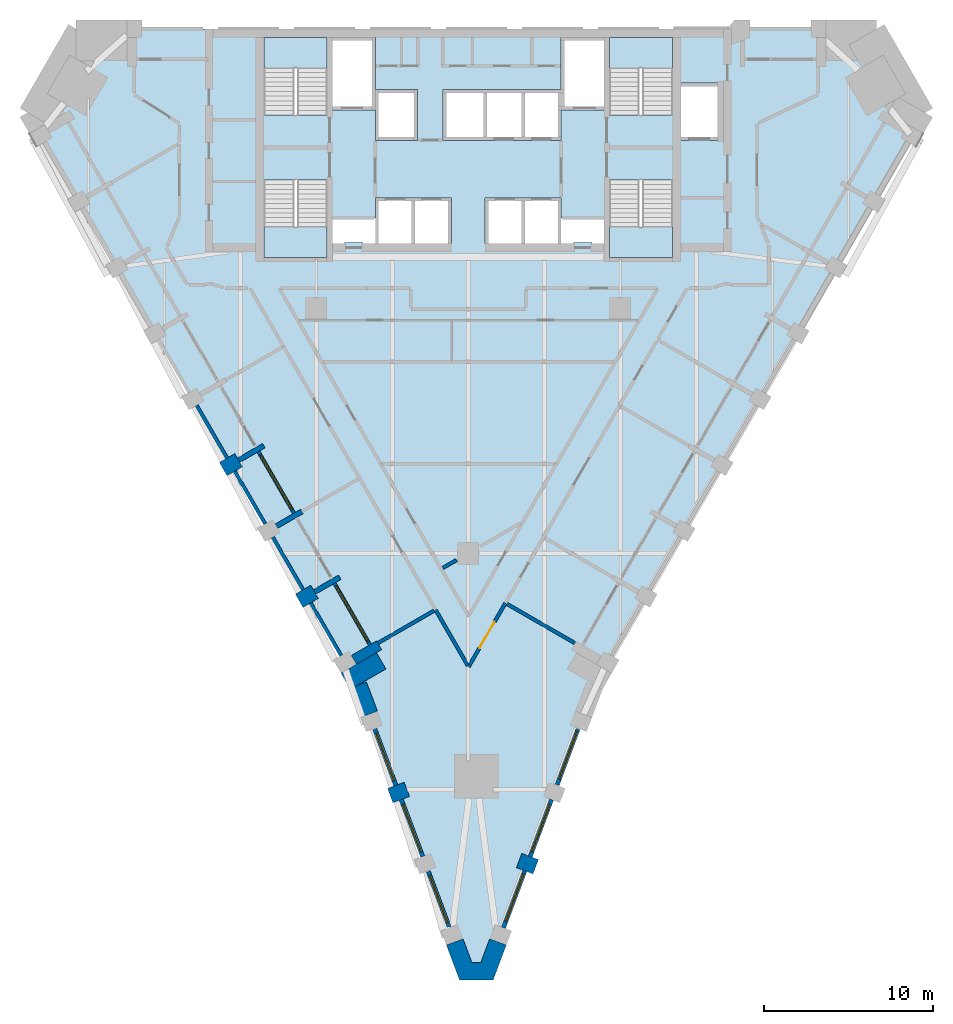
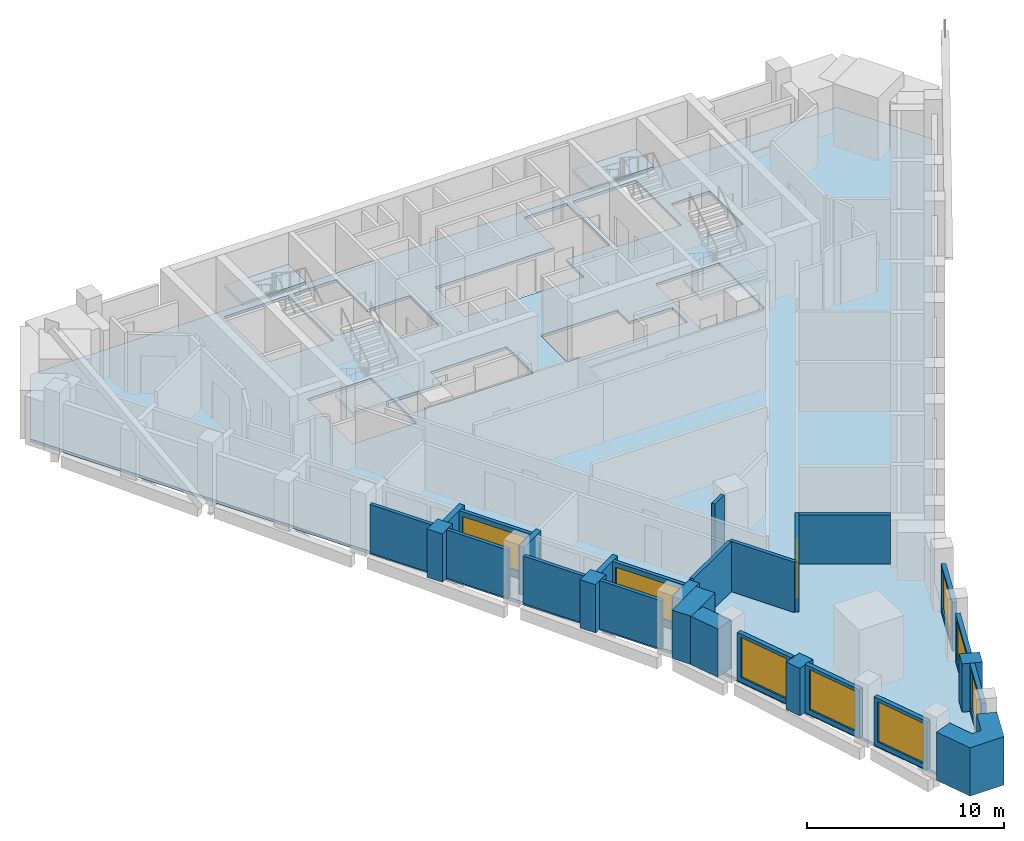
# One storey, part 2 of 9: 28 walls, 8 windows, 5 slabs, 1 door, 9 openings, 4 elements without a shape of their own.
"""IFC4 building model written with IfcOpenShell, lengths in metres."""

from ifc_helpers import new_model, si_unit, direction, frame, frame_2d, origin, place, context, subcontext, project, spatial, polyline, rectangle, outline, extrude, material, layer, layer_set, type_object, element, fill, aggregate, save


model = new_model("IFC4")

# Units and contexts
model_context = context("Model", 3, precision=1e-05, world=origin(), true_north=direction((0.0, 1.0)))
body_context = subcontext(model_context, "Body", "Model", "MODEL_VIEW")
ifc_project = project(units=[si_unit("LENGTHUNIT", "METRE"), si_unit("AREAUNIT", "SQUARE_METRE"), si_unit("VOLUMEUNIT", "CUBIC_METRE"), si_unit("PLANEANGLEUNIT", "RADIAN"), si_unit("MASSUNIT", "GRAM", prefix="KILO")], contexts=[model_context])

# Site, building, storey
site_placement = place(None, origin())
site = spatial("IfcSite", under=ifc_project, at=site_placement, CompositionType="ELEMENT")
building_placement = place(site_placement, origin())
building = spatial("IfcBuilding", under=site, at=building_placement, Name="Calabash Gate Tower", CompositionType="ELEMENT")
storey_placement = place(building_placement, frame((0.0, 0.0, 168.0)))
storey = spatial("IfcBuildingStorey", under=building, at=storey_placement, Name="L39", CompositionType="ELEMENT", Elevation=168.0)

# Slab
ifc_material_1 = material(Name="Concrete C40/50", Category="concrete")
ifc_layer_1 = layer(ifc_material_1, 0.169921875)
ifc_layer_set_1 = layer_set([ifc_layer_1], Name="Composite floor slab 170 Concrete C40/50")
slab_type_1 = type_object("IfcSlabType", Name="Composite floor slab 170 Concrete C40/50", PredefinedType="FLOOR", material=ifc_layer_set_1)
slab_1_placement = place(storey_placement, frame((0.0, 0.0, -0.169921875)))
element("IfcSlab", 1, at=slab_1_placement, inside=storey, type_object=slab_type_1, Name="Floor slab L39", PredefinedType="FLOOR", context=body_context, shape_type="SweptSolid", body=[
    extrude(outline(polyline([(-23.2216796875, 19.052490234375), (24.18115234375, 19.052490234375), (27.04638671875, 14.08984375), (7.479736328125, -19.800537109375), (1.113037109375, -36.739990234375), (-0.153564453125, -36.739990234375), (-6.520263671875, -19.800537109375), (-26.0869140625, 14.08984375), (-23.2216796875, 19.052490234375)]), holes=[polyline([(-3.25, 9.052490234375), (-5.5, 9.052490234375), (-5.5, 7.8525390625), (-8.050048828125, 7.8525390625), (-8.050048828125, 6.3525390625), (-7.324951171875, 6.3525390625), (-7.324951171875, 6.402587890625), (-6.22509765625, 6.402587890625), (-6.22509765625, 6.3525390625), (-5.5, 6.3525390625), (-3.25, 6.3525390625), (-1.0, 6.3525390625), (-1.0, 9.052490234375), (-3.25, 9.052490234375)]), polyline([(5.5, 6.3525390625), (6.22509765625, 6.3525390625), (6.22509765625, 6.402587890625), (7.324951171875, 6.402587890625), (7.324951171875, 6.3525390625), (8.050048828125, 6.3525390625), (8.050048828125, 7.8525390625), (5.5, 7.8525390625), (5.5, 9.052490234375), (3.25, 9.052490234375), (1.0, 9.052490234375), (1.0, 6.3525390625), (3.25, 6.3525390625), (5.5, 6.3525390625)]), polyline([(-5.5, 12.45263671875), (-3.0, 12.45263671875), (-3.0, 15.45263671875), (-5.5, 15.45263671875), (-5.5, 18.552490234375), (-8.050048828125, 18.552490234375), (-8.050048828125, 14.252685546875), (-5.5, 14.252685546875), (-5.5, 12.45263671875)]), polyline([(-1.5, 15.45263671875), (-1.5, 12.45263671875), (1.0, 12.45263671875), (3.25, 12.45263671875), (5.5, 12.45263671875), (5.5, 14.252685546875), (8.050048828125, 14.252685546875), (8.050048828125, 18.552490234375), (5.5, 18.552490234375), (5.5, 15.45263671875), (3.25, 15.45263671875), (1.0, 15.45263671875), (-1.5, 15.45263671875)]), polyline([(14.85009765625, 15.8525390625), (12.60009765625, 15.8525390625), (12.60009765625, 12.45263671875), (14.85009765625, 12.45263671875), (14.85009765625, 15.8525390625)]), polyline([(-8.35009765625, 18.552490234375), (-12.10009765625, 18.552490234375), (-12.10009765625, 13.95263671875), (-8.35009765625, 13.95263671875), (-8.35009765625, 18.552490234375)]), polyline([(-12.10009765625, 10.1025390625), (-12.10009765625, 5.502685546875), (-8.35009765625, 5.502685546875), (-8.35009765625, 10.1025390625), (-12.10009765625, 10.1025390625)]), polyline([(8.35009765625, 13.95263671875), (12.10009765625, 13.95263671875), (12.10009765625, 18.552490234375), (8.35009765625, 18.552490234375), (8.35009765625, 13.95263671875)]), polyline([(12.10009765625, 5.502685546875), (12.10009765625, 10.1025390625), (8.35009765625, 10.1025390625), (8.35009765625, 5.502685546875), (12.10009765625, 5.502685546875)])]), origin(), (0.0, 0.0, 1.0), 0.169921875),
])

# Stair, slab
ifc_material_2 = material(Name="Concrete C40/50", Category="concrete")
stair_type = type_object("IfcStairType", Name="Exit stair 22 risers of 177.3 mm", PredefinedType="HALF_TURN_STAIR", material=ifc_material_2)
stair_1_placement = place(storey_placement, origin())
stair_1 = element("IfcStair", 2, at=stair_1_placement, inside=storey, type_object=stair_type, Name="L39 Exit stair ST1", PredefinedType="HALF_TURN_STAIR")
ifc_material_3 = material(Name="Concrete C40/50", Category="concrete")
ifc_layer_2 = layer(ifc_material_3, 0.199951171875)
ifc_layer_set_2 = layer_set([ifc_layer_2], Name="Stair landing SL200")
slab_type_2 = type_object("IfcSlabType", Name="Stair landing SL200", PredefinedType="LANDING", material=ifc_layer_set_2)
slab_2_placement = place(storey_placement, frame((0.0, 0.0, 1.75)))
slab_2 = element("IfcSlab", 3, at=slab_2_placement, type_object=slab_type_2, Name="ST1 landing 1", PredefinedType="LANDING", context=body_context, shape_type="SweptSolid", body=[
    extrude(outline(polyline([(-8.35009765625, 16.74267578125), (-8.35009765625, 18.552490234375), (-12.10009765625, 18.552490234375), (-12.10009765625, 16.74267578125), (-8.35009765625, 16.74267578125)])), origin(), (0.0, 0.0, 1.0), 0.199951171875),
])
aggregate(stair_1, [slab_2])

stair_2_placement = place(storey_placement, origin())
stair_2 = element("IfcStair", 4, at=stair_2_placement, inside=storey, type_object=stair_type, Name="L39 Exit stair ST2", PredefinedType="HALF_TURN_STAIR")
slab_3_placement = place(storey_placement, frame((0.0, 0.0, 1.75)))
slab_3 = element("IfcSlab", 5, at=slab_3_placement, type_object=slab_type_2, Name="ST2 landing 1", PredefinedType="LANDING", context=body_context, shape_type="SweptSolid", body=[
    extrude(outline(polyline([(-12.10009765625, 7.3125), (-12.10009765625, 5.502685546875), (-8.35009765625, 5.502685546875), (-8.35009765625, 7.3125), (-12.10009765625, 7.3125)])), origin(), (0.0, 0.0, 1.0), 0.199951171875),
])
aggregate(stair_2, [slab_3])

stair_3_placement = place(storey_placement, origin())
stair_3 = element("IfcStair", 6, at=stair_3_placement, inside=storey, type_object=stair_type, Name="L39 Exit stair ST3", PredefinedType="HALF_TURN_STAIR")
slab_4_placement = place(storey_placement, frame((0.0, 0.0, 1.75)))
slab_4 = element("IfcSlab", 7, at=slab_4_placement, type_object=slab_type_2, Name="ST3 landing 1", PredefinedType="LANDING", context=body_context, shape_type="SweptSolid", body=[
    extrude(outline(polyline([(12.10009765625, 16.74267578125), (12.10009765625, 18.552490234375), (8.35009765625, 18.552490234375), (8.35009765625, 16.74267578125), (12.10009765625, 16.74267578125)])), origin(), (0.0, 0.0, 1.0), 0.199951171875),
])
aggregate(stair_3, [slab_4])

stair_4_placement = place(storey_placement, origin())
stair_4 = element("IfcStair", 8, at=stair_4_placement, inside=storey, type_object=stair_type, Name="L39 Exit stair ST4", PredefinedType="HALF_TURN_STAIR")
slab_5_placement = place(storey_placement, frame((0.0, 0.0, 1.75)))
slab_5 = element("IfcSlab", 9, at=slab_5_placement, type_object=slab_type_2, Name="ST4 landing 1", PredefinedType="LANDING", context=body_context, shape_type="SweptSolid", body=[
    extrude(outline(polyline([(8.35009765625, 7.3125), (8.35009765625, 5.502685546875), (12.10009765625, 5.502685546875), (12.10009765625, 7.3125), (8.35009765625, 7.3125)])), origin(), (0.0, 0.0, 1.0), 0.199951171875),
])
aggregate(stair_4, [slab_5])

# Walls
ifc_material_4 = material(Name="Terracotta brick masonry, exposed face", Category="masonry")
ifc_layer_3 = layer(ifc_material_4, 2.425048828125)
ifc_layer_set_3 = layer_set([ifc_layer_3], Name="Brick corner mass wall 2425")
wall_type_1 = type_object("IfcWallType", Name="Brick corner mass wall 2425", PredefinedType="SOLIDWALL", material=ifc_layer_set_3)
wall_1_placement = place(storey_placement, frame((-5.154052734375, -18.366943359375, 0.0), z_axis=(0.0, 0.0, 1.0), x_axis=(-0.865997808697, -0.500047793048, 0.0)))
element("IfcWall", 10, at=wall_1_placement, inside=storey, type_object=wall_type_1, Name="Brick corner pier S11 1", PredefinedType="SOLIDWALL", context=body_context, shape_type="SweptSolid", body=[
    extrude(rectangle(XDim=2.425048828125, YDim=1.11669921875, at=frame_2d((1.21240234375, 0.0))), origin(), (0.0, 0.0, 1.0), 3.0),
])
ifc_material_5 = material(Name="Terracotta brick masonry, exposed face", Category="masonry")
ifc_layer_4 = layer(ifc_material_5, 1.050048828125)
ifc_layer_set_4 = layer_set([ifc_layer_4], Name="Brick end wall 1050")
wall_type_2 = type_object("IfcWallType", Name="Brick end wall 1050", PredefinedType="SOLIDWALL", material=ifc_layer_set_4)
for number, where, z_axis, x_axis, name in (
    (11, (-14.50830078125, -7.014892578125, 0.0), (0.0, 0.0, 1.0), (0.866088799389, 0.499890179513, 0.0), "Brick pier S11 SW0.5"),
    (12, (-10.00830078125, -14.80908203125, 0.0), (0.0, 0.0, 1.0), (0.866088799389, 0.499890179513, 0.0), "Brick pier S11 SW0.7"),
):
    element("IfcWall", number, at=place(storey_placement, frame(where, z_axis=z_axis, x_axis=x_axis)), inside=storey, type_object=wall_type_2, Name=name, PredefinedType="SOLIDWALL", context=body_context, shape_type="SweptSolid", body=[
        extrude(rectangle(XDim=1.050048828125, YDim=0.89990234375, at=frame_2d((0.52490234375, 0.0))), origin(), (0.0, 0.0, 1.0), 3.0),
    ])
wall_2_placement = place(storey_placement, frame((-4.6201171875, -26.348876953125, 0.0), z_axis=(0.0, 0.0, 1.0), x_axis=(0.936003928089, 0.351989554676, 0.0)))
element("IfcWall", 13, at=wall_2_placement, inside=storey, type_object=wall_type_2, Name="Brick pier S11 wedge1.1", PredefinedType="SOLIDWALL", context=body_context, shape_type="SweptSolid", body=[
    extrude(rectangle(XDim=1.050048828125, YDim=0.89990234375, at=frame_2d((0.52490234375, 0.0))), origin(), (0.0, 0.0, 1.0), 2.9501953125),
])
wall_3_placement = place(storey_placement, frame((3.99609375, -30.56103515625, 0.0), z_axis=(0.0, 0.0, 1.0), x_axis=(-0.936080509118, 0.351785844584, 0.0)))
element("IfcWall", 14, at=wall_3_placement, inside=storey, type_object=wall_type_2, Name="Brick pier S11 wedge3.1", PredefinedType="SOLIDWALL", context=body_context, shape_type="SweptSolid", body=[
    extrude(rectangle(XDim=1.050048828125, YDim=0.89990234375, at=frame_2d((0.52490234375, 0.0))), origin(), (0.0, 0.0, 1.0), 3.0),
])
wall_4_placement = place(storey_placement, origin())
element("IfcWall", 15, at=wall_4_placement, inside=storey, type_object=wall_type_2, Name="Brick end wall S11 1", PredefinedType="SOLIDWALL", context=body_context, shape_type="SweptSolid", body=[
    extrude(outline(polyline([(-5.378662109375, -21.345947265625), (-6.02880859375, -19.61572265625), (-6.520263671875, -19.800537109375), (-6.97509765625, -20.06298828125), (-6.99658203125, -20.025634765625), (-6.361572265625, -21.71533203125), (-5.378662109375, -21.345947265625)])), origin(), (0.0, 0.0, 1.0), 3.0),
])
wall_5_placement = place(storey_placement, origin())
element("IfcWall", 16, at=wall_5_placement, inside=storey, type_object=wall_type_2, Name="Brick end wall S11 2", PredefinedType="SOLIDWALL", context=body_context, shape_type="SweptSolid", body=[
    extrude(outline(polyline([(-1.295166015625, -35.19482421875), (-0.51708984375, -37.264892578125), (1.4765625, -37.264892578125), (2.254638671875, -35.194580078125), (1.271484375, -34.82568359375), (0.74951171875, -36.21484375), (0.2099609375, -36.21484375), (-0.312255859375, -34.825439453125), (-1.295166015625, -35.19482421875)])), origin(), (0.0, 0.0, 1.0), 3.0),
])
ifc_material_6 = material(Name="Terracotta brick masonry, exposed face", Category="masonry")
ifc_layer_5 = layer(ifc_material_6, 0.300048828125)
ifc_layer_set_5 = layer_set([ifc_layer_5], Name="Brick loggia cheek wall 300")
wall_type_3 = type_object("IfcWallType", Name="Brick loggia cheek wall 300", PredefinedType="SOLIDWALL", material=ifc_layer_set_5)
wall_6_placement = place(storey_placement, frame((-13.598876953125, -6.489990234375, 0.0), z_axis=(0.0, 0.0, 1.0), x_axis=(0.866013532718, 0.500020560727, 0.0)))
element("IfcWall", 17, at=wall_6_placement, inside=storey, type_object=wall_type_3, Name="Loggia cheek S11 SW0.5", PredefinedType="SOLIDWALL", context=body_context, shape_type="SweptSolid", body=[
    extrude(rectangle(XDim=1.72509765625, YDim=0.300048828125, at=frame_2d((0.862548828125, 0.0))), origin(), (0.0, 0.0, 1.0), 3.0),
])
wall_7_placement = place(storey_placement, frame((-11.348876953125, -10.386962890625, 0.0), z_axis=(0.0, 0.0, 1.0), x_axis=(0.866074815912, 0.499914405916, 0.0)))
element("IfcWall", 18, at=wall_7_placement, inside=storey, type_object=wall_type_3, Name="Loggia cheek S11 SW0.6", PredefinedType="SOLIDWALL", context=body_context, shape_type="SweptSolid", body=[
    extrude(rectangle(XDim=1.724853515625, YDim=0.300048828125, at=frame_2d((0.8623046875, 0.0))), origin(), (0.0, 0.0, 1.0), 3.0),
])
wall_8_placement = place(storey_placement, frame((-9.098876953125, -14.2841796875, 0.0), z_axis=(0.0, 0.0, 1.0), x_axis=(0.866013532718, 0.500020560727, 0.0)))
element("IfcWall", 19, at=wall_8_placement, inside=storey, type_object=wall_type_3, Name="Loggia cheek S11 SW0.7", PredefinedType="SOLIDWALL", context=body_context, shape_type="SweptSolid", body=[
    extrude(rectangle(XDim=1.72509765625, YDim=0.300048828125, at=frame_2d((0.862548828125, 0.0))), origin(), (0.0, 0.0, 1.0), 3.0),
])
wall_9_placement = place(storey_placement, frame((-6.77392578125, -18.311279296875, 0.0), z_axis=(0.0, 0.0, 1.0), x_axis=(0.866013532718, 0.500020560727, 0.0)))
element("IfcWall", 20, at=wall_9_placement, inside=storey, type_object=wall_type_3, Name="Loggia cheek S11 SW0.8", PredefinedType="SOLIDWALL", context=body_context, shape_type="SweptSolid", body=[
    extrude(rectangle(XDim=1.72509765625, YDim=0.60009765625, at=frame_2d((0.862548828125, 0.0))), origin(), (0.0, 0.0, 1.0), 3.0),
])
ifc_material_7 = material(Name="Gypsum board on steel studs, mineral wool", Category="steel")
ifc_layer_6 = layer(ifc_material_7, 0.199951171875)
ifc_layer_set_6 = layer_set([ifc_layer_6], Name="Partition 200 gypsum board EI 60")
wall_type_4 = type_object("IfcWallType", Name="Partition 200 gypsum board EI 60", PredefinedType="PARTITIONING", material=ifc_layer_set_6)
wall_10_placement = place(storey_placement, frame((-1.935791015625, -15.34521484375, 0.0), z_axis=(0.0, 0.0, 1.0), x_axis=(0.500383446004, -0.865803907918, 0.0)))
element("IfcWall", 21, at=wall_10_placement, inside=storey, type_object=wall_type_4, Name="Partition", PredefinedType="PARTITIONING", context=body_context, shape_type="SweptSolid", body=[
    extrude(rectangle(XDim=3.80419921875, YDim=0.199951171875, at=frame_2d((1.902099609375, 0.0))), origin(), (0.0, 0.0, 1.0), 3.1279296875),
])
wall_11_placement = place(storey_placement, frame((2.286865234375, -14.99560546875, 0.0), z_axis=(0.0, 0.0, 1.0), x_axis=(0.866183837695, -0.499725483956, 0.0)))
element("IfcWall", 22, at=wall_11_placement, inside=storey, type_object=wall_type_4, Name="Partition", PredefinedType="PARTITIONING", context=body_context, shape_type="SweptSolid", body=[
    extrude(rectangle(XDim=4.6494140625, YDim=0.199951171875, at=frame_2d((2.32470703125, 0.0))), origin(), (0.0, 0.0, 1.0), 3.052001953125),
])
wall_12_placement = place(storey_placement, frame((-5.354736328125, -17.319091796875, 0.0), z_axis=(0.0, 0.0, 1.0), x_axis=(0.866214094833, 0.499673035007, 0.0)))
element("IfcWall", 23, at=wall_12_placement, inside=storey, type_object=wall_type_4, Name="Partition", PredefinedType="PARTITIONING", context=body_context, shape_type="SweptSolid", body=[
    extrude(rectangle(XDim=3.84912109375, YDim=0.199951171875, at=frame_2d((1.924560546875, 0.0))), origin(), (0.0, 0.0, 1.0), 3.1279296875),
])

# Wall, opening, door
wall_13_placement = place(storey_placement, frame((0.017822265625, -18.725341796875, 0.0), z_axis=(0.0, 0.0, 1.0), x_axis=(0.500372623754, 0.865810162448, 0.0)))
wall_13 = element("IfcWall", 24, at=wall_13_placement, inside=storey, type_object=wall_type_4, Name="Partition", PredefinedType="PARTITIONING", context=body_context, shape_type="SweptSolid", body=[
    extrude(rectangle(XDim=4.365966796875, YDim=0.199951171875, at=frame_2d((2.18310546875, 0.0))), origin(), (0.0, 0.0, 1.0), 3.1279296875),
])
opening_1_placement = place(wall_13_placement, frame((1.283203125, 0.0, 0.0)))
opening_1 = element("IfcOpeningElement", 25, at=opening_1_placement, cuts=wall_13, Name="Opening 39-41-013", PredefinedType="OPENING", context=body_context, shape_type="SweptSolid", body=[
    extrude(rectangle(XDim=1.800048828125, YDim=2.39990234375, at=frame_2d((0.89990234375, 1.199951171875))), frame((0.0, 0.10986328125, 0.0), z_axis=(0.0, -1.0, 0.0), x_axis=(1.0, 0.0, 0.0)), (0.0, 0.0, 1.0), 0.219970703125),
])
ifc_material_8 = material(Name="Steel fire door set with fire-resisting glazing", Category="steel")
door_type = type_object("IfcDoorType", Name="OD5 Open office double door 1800x2400", OperationType="NOTDEFINED", PredefinedType="DOOR", material=ifc_material_8)
door_placement = place(opening_1_placement, origin())
door = element("IfcDoor", 26, at=door_placement, inside=storey, type_object=door_type, Name="Open office double door", OperationType="DOUBLE_DOOR_SINGLE_SWING", OverallHeight=2.39990234375, OverallWidth=1.800048828125, PredefinedType="DOOR", context=body_context, shape_type="SweptSolid", body=[
    extrude(rectangle(XDim=1.800048828125, YDim=2.39990234375, at=frame_2d((0.89990234375, 1.199951171875))), frame((0.0, 0.02490234375, 0.0), z_axis=(0.0, -1.0, 0.0), x_axis=(1.0, 0.0, 0.0)), (0.0, 0.0, 1.0), 0.050048828125),
])
fill(opening_1, door)

# Wall
wall_14_placement = place(storey_placement, frame((-1.51220703125, -12.870849609375, 0.0), z_axis=(0.0, 0.0, 1.0), x_axis=(0.866909118008, 0.498466228659, 0.0)))
element("IfcWall", 27, at=wall_14_placement, inside=storey, type_object=wall_type_4, Name="Partition", PredefinedType="PARTITIONING", context=body_context, shape_type="SweptSolid", body=[
    extrude(rectangle(XDim=0.93701171875, YDim=0.199951171875, at=frame_2d((0.468505859375, 0.0))), origin(), (0.0, 0.0, 1.0), 3.72998046875),
])

# Wall, opening, window
ifc_material_9 = material(Name="Aluminium framed window wall with insulated spandrel", Category="aluminium")
ifc_layer_7 = layer(ifc_material_9, 0.25)
ifc_layer_set_7 = layer_set([ifc_layer_7], Name="Prow window wall 250")
wall_type_5 = type_object("IfcWallType", Name="Prow window wall 250", PredefinedType="ELEMENTEDWALL", material=ifc_layer_set_7)
wall_15_placement = place(storey_placement, frame((-5.535888671875, -22.419921875, 0.0), z_axis=(0.0, 0.0, 1.0), x_axis=(0.351861542378, -0.936052057845, 0.0)))
wall_15 = element("IfcWall", 28, at=wall_15_placement, inside=storey, type_object=wall_type_5, Name="Prow window wall S11 wedge1.1", PredefinedType="ELEMENTEDWALL", context=body_context, shape_type="SweptSolid", body=[
    extrude(rectangle(XDim=3.5517578125, YDim=0.25, at=frame_2d((1.77587890625, 0.0))), origin(), (0.0, 0.0, 1.0), 3.0),
])
opening_2_placement = place(wall_15_placement, frame((0.25, 0.0, 0.300048828125)))
opening_2 = element("IfcOpeningElement", 29, at=opening_2_placement, cuts=wall_15, Name="Opening WP2", PredefinedType="OPENING", context=body_context, shape_type="SweptSolid", body=[
    extrude(rectangle(XDim=3.0, YDim=2.5, at=frame_2d((1.5, 1.25))), frame((0.0, 0.135009765625, 0.0), z_axis=(0.0, -1.0, 0.0), x_axis=(1.0, 0.0, 0.0)), (0.0, 0.0, 1.0), 0.27001953125),
])
ifc_material_10 = material(Name="Anodised aluminium frame, bronze finish, impact-rated laminated clear glazing", Category="aluminium")
window_type_1 = type_object("IfcWindowType", Name="Window WP2 3000x2500", PartitioningType="DOUBLE_PANEL_VERTICAL", PredefinedType="WINDOW", material=ifc_material_10)
window_1_placement = place(opening_2_placement, origin())
window_1 = element("IfcWindow", 30, at=window_1_placement, inside=storey, type_object=window_type_1, Name="Prow window WP2 S11 wedge1.1", OverallHeight=2.5, OverallWidth=3.0, PartitioningType="SINGLE_PANEL", PredefinedType="WINDOW", context=body_context, shape_type="SweptSolid", body=[
    extrude(rectangle(XDim=3.0, YDim=2.5, at=frame_2d((1.5, 1.25))), frame((0.0, 0.030029296875, 0.0), z_axis=(0.0, -1.0, 0.0), x_axis=(1.0, 0.0, 0.0)), (0.0, 0.0, 1.0), 0.06005859375),
])
fill(opening_2, window_1)

wall_16_placement = place(storey_placement, frame((-3.97021484375, -26.585205078125, 0.0), z_axis=(0.0, 0.0, 1.0), x_axis=(0.351829371284, -0.936064150314, 0.0)))
wall_16 = element("IfcWall", 31, at=wall_16_placement, inside=storey, type_object=wall_type_5, Name="Prow window wall S11 wedge1.2", PredefinedType="ELEMENTEDWALL", context=body_context, shape_type="SweptSolid", body=[
    extrude(rectangle(XDim=3.60009765625, YDim=0.25, at=frame_2d((1.800048828125, 0.0))), origin(), (0.0, 0.0, 1.0), 3.0),
])
opening_3_placement = place(wall_16_placement, frame((0.300048828125, 0.0, 0.300048828125)))
opening_3 = element("IfcOpeningElement", 32, at=opening_3_placement, cuts=wall_16, Name="Opening WP2", PredefinedType="OPENING", context=body_context, shape_type="SweptSolid", body=[
    extrude(rectangle(XDim=3.0, YDim=2.5, at=frame_2d((1.5, 1.25))), frame((0.0, 0.135009765625, 0.0), z_axis=(0.0, -1.0, 0.0), x_axis=(1.0, 0.0, 0.0)), (0.0, 0.0, 1.0), 0.27001953125),
])
window_2_placement = place(opening_3_placement, origin())
window_2 = element("IfcWindow", 33, at=window_2_placement, inside=storey, type_object=window_type_1, Name="Prow window WP2 S11 wedge1.2", OverallHeight=2.5, OverallWidth=3.0, PartitioningType="SINGLE_PANEL", PredefinedType="WINDOW", context=body_context, shape_type="SweptSolid", body=[
    extrude(rectangle(XDim=3.0, YDim=2.5, at=frame_2d((1.5, 1.25))), frame((0.0, 0.030029296875, 0.0), z_axis=(0.0, -1.0, 0.0), x_axis=(1.0, 0.0, 0.0)), (0.0, 0.0, 1.0), 0.06005859375),
])
fill(opening_3, window_2)

wall_17_placement = place(storey_placement, frame((-2.369384765625, -30.844482421875, 0.0), z_axis=(0.0, 0.0, 1.0), x_axis=(0.351788440802, -0.936079533436, 0.0)))
wall_17 = element("IfcWall", 34, at=wall_17_placement, inside=storey, type_object=wall_type_5, Name="Prow window wall S11 wedge1.3", PredefinedType="ELEMENTEDWALL", context=body_context, shape_type="SweptSolid", body=[
    extrude(rectangle(XDim=3.499755859375, YDim=0.25, at=frame_2d((1.75, 0.0))), origin(), (0.0, 0.0, 1.0), 3.0),
])
opening_4_placement = place(wall_17_placement, frame((0.25, 0.0, 0.300048828125)))
opening_4 = element("IfcOpeningElement", 35, at=opening_4_placement, cuts=wall_17, Name="Opening WP2", PredefinedType="OPENING", context=body_context, shape_type="SweptSolid", body=[
    extrude(rectangle(XDim=3.0, YDim=2.5, at=frame_2d((1.5, 1.25))), frame((0.0, 0.135009765625, 0.0), z_axis=(0.0, -1.0, 0.0), x_axis=(1.0, 0.0, 0.0)), (0.0, 0.0, 1.0), 0.27001953125),
])
window_3_placement = place(opening_4_placement, origin())
window_3 = element("IfcWindow", 36, at=window_3_placement, inside=storey, type_object=window_type_1, Name="Prow window WP2 S11 wedge1.3", OverallHeight=2.5, OverallWidth=3.0, PartitioningType="SINGLE_PANEL", PredefinedType="WINDOW", context=body_context, shape_type="SweptSolid", body=[
    extrude(rectangle(XDim=3.0, YDim=2.5, at=frame_2d((1.5, 1.25))), frame((0.0, 0.030029296875, 0.0), z_axis=(0.0, -1.0, 0.0), x_axis=(1.0, 0.0, 0.0)), (0.0, 0.0, 1.0), 0.06005859375),
])
fill(opening_4, window_3)

wall_18_placement = place(storey_placement, frame((2.079833984375, -34.16748046875, 0.0), z_axis=(0.0, 0.0, 1.0), x_axis=(0.351829371284, 0.936064150314, 0.0)))
wall_18 = element("IfcWall", 37, at=wall_18_placement, inside=storey, type_object=wall_type_5, Name="Prow window wall S11 wedge3.1", PredefinedType="ELEMENTEDWALL", context=body_context, shape_type="SweptSolid", body=[
    extrude(rectangle(XDim=3.60009765625, YDim=0.25, at=frame_2d((1.800048828125, 0.0))), origin(), (0.0, 0.0, 1.0), 3.0),
])
opening_5_placement = place(wall_18_placement, frame((0.39990234375, 0.0, 0.300048828125)))
opening_5 = element("IfcOpeningElement", 38, at=opening_5_placement, cuts=wall_18, Name="Opening WP2", PredefinedType="OPENING", context=body_context, shape_type="SweptSolid", body=[
    extrude(rectangle(XDim=3.0, YDim=2.5, at=frame_2d((1.5, 1.25))), frame((0.0, 0.135009765625, 0.0), z_axis=(0.0, -1.0, 0.0), x_axis=(1.0, 0.0, 0.0)), (0.0, 0.0, 1.0), 0.27001953125),
])
window_4_placement = place(opening_5_placement, origin())
window_4 = element("IfcWindow", 39, at=window_4_placement, inside=storey, type_object=window_type_1, Name="Prow window WP2 S11 wedge3.1", OverallHeight=2.5, OverallWidth=3.0, PartitioningType="SINGLE_PANEL", PredefinedType="WINDOW", context=body_context, shape_type="SweptSolid", body=[
    extrude(rectangle(XDim=3.0, YDim=2.5, at=frame_2d((1.5, 1.25))), frame((0.0, 0.030029296875, 0.0), z_axis=(0.0, -1.0, 0.0), x_axis=(1.0, 0.0, 0.0)), (0.0, 0.0, 1.0), 0.06005859375),
])
fill(opening_5, window_4)

wall_19_placement = place(storey_placement, frame((3.6630859375, -29.955078125, 0.0), z_axis=(0.0, 0.0, 1.0), x_axis=(0.351829371284, 0.936064150314, 0.0)))
wall_19 = element("IfcWall", 40, at=wall_19_placement, inside=storey, type_object=wall_type_5, Name="Prow window wall S11 wedge3.2", PredefinedType="ELEMENTEDWALL", context=body_context, shape_type="SweptSolid", body=[
    extrude(rectangle(XDim=3.60009765625, YDim=0.25, at=frame_2d((1.800048828125, 0.0))), origin(), (0.0, 0.0, 1.0), 3.0),
])
opening_6_placement = place(wall_19_placement, frame((0.300048828125, 0.0, 0.300048828125)))
opening_6 = element("IfcOpeningElement", 41, at=opening_6_placement, cuts=wall_19, Name="Opening WP2", PredefinedType="OPENING", context=body_context, shape_type="SweptSolid", body=[
    extrude(rectangle(XDim=3.0, YDim=2.5, at=frame_2d((1.5, 1.25))), frame((0.0, 0.135009765625, 0.0), z_axis=(0.0, -1.0, 0.0), x_axis=(1.0, 0.0, 0.0)), (0.0, 0.0, 1.0), 0.27001953125),
])
window_5_placement = place(opening_6_placement, origin())
window_5 = element("IfcWindow", 42, at=window_5_placement, inside=storey, type_object=window_type_1, Name="Prow window WP2 S11 wedge3.2", OverallHeight=2.5, OverallWidth=3.0, PartitioningType="SINGLE_PANEL", PredefinedType="WINDOW", context=body_context, shape_type="SweptSolid", body=[
    extrude(rectangle(XDim=3.0, YDim=2.5, at=frame_2d((1.5, 1.25))), frame((0.0, 0.030029296875, 0.0), z_axis=(0.0, -1.0, 0.0), x_axis=(1.0, 0.0, 0.0)), (0.0, 0.0, 1.0), 0.06005859375),
])
fill(opening_6, window_5)

wall_20_placement = place(storey_placement, frame((5.263916015625, -25.696044921875, 0.0), z_axis=(0.0, 0.0, 1.0), x_axis=(0.351788440802, 0.936079533436, 0.0)))
wall_20 = element("IfcWall", 43, at=wall_20_placement, inside=storey, type_object=wall_type_5, Name="Prow window wall S11 wedge3.3", PredefinedType="ELEMENTEDWALL", context=body_context, shape_type="SweptSolid", body=[
    extrude(rectangle(XDim=3.499755859375, YDim=0.25, at=frame_2d((1.75, 0.0))), origin(), (0.0, 0.0, 1.0), 3.0),
])
opening_7_placement = place(wall_20_placement, frame((0.35009765625, 0.0, 0.300048828125)))
opening_7 = element("IfcOpeningElement", 44, at=opening_7_placement, cuts=wall_20, Name="Opening WP2", PredefinedType="OPENING", context=body_context, shape_type="SweptSolid", body=[
    extrude(rectangle(XDim=3.0, YDim=2.5, at=frame_2d((1.5, 1.25))), frame((0.0, 0.135009765625, 0.0), z_axis=(0.0, -1.0, 0.0), x_axis=(1.0, 0.0, 0.0)), (0.0, 0.0, 1.0), 0.27001953125),
])
window_6_placement = place(opening_7_placement, origin())
window_6 = element("IfcWindow", 45, at=window_6_placement, inside=storey, type_object=window_type_1, Name="Prow window WP2 S11 wedge3.3", OverallHeight=2.5, OverallWidth=3.0, PartitioningType="SINGLE_PANEL", PredefinedType="WINDOW", context=body_context, shape_type="SweptSolid", body=[
    extrude(rectangle(XDim=3.0, YDim=2.5, at=frame_2d((1.5, 1.25))), frame((0.0, 0.030029296875, 0.0), z_axis=(0.0, -1.0, 0.0), x_axis=(1.0, 0.0, 0.0)), (0.0, 0.0, 1.0), 0.06005859375),
])
fill(opening_7, window_6)

# Walls
ifc_material_11 = material(Name="Terracotta brick masonry, perforated", Category="masonry")
ifc_layer_8 = layer(ifc_material_11, 0.199951171875)
ifc_layer_set_8 = layer_set([ifc_layer_8], Name="Terracotta jaali screen A")
wall_type_6 = type_object("IfcWallType", Name="Terracotta jaali screen A", PredefinedType="SOLIDWALL", material=ifc_layer_set_8)
for number, where, z_axis, x_axis, name in (
    (46, (-16.07861328125, -3.2451171875, 0.0), (0.0, 0.0, 1.0), (0.500012057535, -0.866018442252, 0.0), "SCREEN A S11 SW0.5"),
    (47, (-13.82861328125, -7.14208984375, 0.0), (0.0, 0.0, 1.0), (0.500012057535, -0.866018442252, 0.0), "SCREEN A S11 SW0.6"),
):
    element("IfcWall", number, at=place(storey_placement, frame(where, z_axis=z_axis, x_axis=x_axis)), inside=storey, type_object=wall_type_6, Name=name, PredefinedType="SOLIDWALL", context=body_context, shape_type="SweptSolid", body=[
        extrude(rectangle(XDim=3.60009765625, YDim=0.199951171875, at=frame_2d((1.800048828125, 0.0))), origin(), (0.0, 0.0, 1.0), 3.0),
    ])
wall_21_placement = place(storey_placement, frame((-11.57861328125, -11.039306640625, 0.0), z_axis=(0.0, 0.0, 1.0), x_axis=(0.500012057535, -0.866018442252, 0.0)))
element("IfcWall", 48, at=wall_21_placement, inside=storey, type_object=wall_type_6, Name="SCREEN A S11 SW0.7", PredefinedType="SOLIDWALL", context=body_context, shape_type="SweptSolid", body=[
    extrude(rectangle(XDim=3.60009765625, YDim=0.199951171875, at=frame_2d((1.800048828125, 0.0))), origin(), (0.0, 0.0, 1.0), 2.9501953125),
])
wall_22_placement = place(storey_placement, frame((-9.32861328125, -14.936279296875, 0.0), z_axis=(0.0, 0.0, 1.0), x_axis=(0.500012057535, -0.866018442252, 0.0)))
element("IfcWall", 49, at=wall_22_placement, inside=storey, type_object=wall_type_6, Name="SCREEN A S11 SW0.8", PredefinedType="SOLIDWALL", context=body_context, shape_type="SweptSolid", body=[
    extrude(rectangle(XDim=3.60009765625, YDim=0.199951171875, at=frame_2d((1.800048828125, 0.0))), origin(), (0.0, 0.0, 1.0), 3.0),
])

# Wall, opening, window
ifc_material_12 = material(Name="Aluminium framed window wall with insulated spandrel", Category="aluminium")
ifc_layer_9 = layer(ifc_material_12, 0.199951171875)
ifc_layer_set_9 = layer_set([ifc_layer_9], Name="Window wall 200")
wall_type_7 = type_object("IfcWallType", Name="Window wall 200", PredefinedType="ELEMENTEDWALL", material=ifc_layer_set_9)
wall_23_placement = place(storey_placement, frame((-12.419921875, -5.982421875, 0.0), z_axis=(0.0, 0.0, 1.0), x_axis=(0.500027713859, -0.866009402589, 0.0)))
wall_23 = element("IfcWall", 50, at=wall_23_placement, inside=storey, type_object=wall_type_7, Name="Window wall S11 SW0.6", PredefinedType="ELEMENTEDWALL", context=body_context, shape_type="SweptSolid", body=[
    extrude(rectangle(XDim=4.199951171875, YDim=0.199951171875, at=frame_2d((2.10009765625, 0.0))), origin(), (0.0, 0.0, 1.0), 3.0),
])
opening_8_placement = place(wall_23_placement, frame((0.199951171875, 0.0, 0.449951171875)))
opening_8 = element("IfcOpeningElement", 51, at=opening_8_placement, cuts=wall_23, Name="Opening OW2", PredefinedType="OPENING", context=body_context, shape_type="SweptSolid", body=[
    extrude(rectangle(XDim=3.800048828125, YDim=2.25, at=frame_2d((1.89990234375, 1.125))), frame((0.0, 0.10986328125, 0.0), z_axis=(0.0, -1.0, 0.0), x_axis=(1.0, 0.0, 0.0)), (0.0, 0.0, 1.0), 0.219970703125),
])
ifc_material_13 = material(Name="Anodised aluminium frame, bronze finish, impact-rated laminated clear glazing", Category="aluminium")
window_type_2 = type_object("IfcWindowType", Name="Window OW2 3800x2250", PartitioningType="TRIPLE_PANEL_VERTICAL", PredefinedType="WINDOW", material=ifc_material_13)
window_7_placement = place(opening_8_placement, origin())
window_7 = element("IfcWindow", 52, at=window_7_placement, inside=storey, type_object=window_type_2, Name="Window OW2 S11 SW0.6", OverallHeight=2.25, OverallWidth=3.800048828125, PartitioningType="SINGLE_PANEL", PredefinedType="WINDOW", context=body_context, shape_type="SweptSolid", body=[
    extrude(rectangle(XDim=3.800048828125, YDim=2.25, at=frame_2d((1.89990234375, 1.125))), frame((0.0, 0.030029296875, 0.0), z_axis=(0.0, -1.0, 0.0), x_axis=(1.0, 0.0, 0.0)), (0.0, 0.0, 1.0), 0.06005859375),
])
fill(opening_8, window_7)

wall_24_placement = place(storey_placement, frame((-7.919921875, -13.776611328125, 0.0), z_axis=(0.0, 0.0, 1.0), x_axis=(0.500027713859, -0.866009402589, 0.0)))
wall_24 = element("IfcWall", 53, at=wall_24_placement, inside=storey, type_object=wall_type_7, Name="Window wall S11 SW0.8", PredefinedType="ELEMENTEDWALL", context=body_context, shape_type="SweptSolid", body=[
    extrude(rectangle(XDim=4.199951171875, YDim=0.199951171875, at=frame_2d((2.10009765625, 0.0))), origin(), (0.0, 0.0, 1.0), 3.0),
])
opening_9_placement = place(wall_24_placement, frame((0.199951171875, 0.0, 0.449951171875)))
opening_9 = element("IfcOpeningElement", 54, at=opening_9_placement, cuts=wall_24, Name="Opening OW2", PredefinedType="OPENING", context=body_context, shape_type="SweptSolid", body=[
    extrude(rectangle(XDim=3.800048828125, YDim=2.25, at=frame_2d((1.89990234375, 1.125))), frame((0.0, 0.10986328125, 0.0), z_axis=(0.0, -1.0, 0.0), x_axis=(1.0, 0.0, 0.0)), (0.0, 0.0, 1.0), 0.219970703125),
])
window_8_placement = place(opening_9_placement, origin())
window_8 = element("IfcWindow", 55, at=window_8_placement, inside=storey, type_object=window_type_2, Name="Window OW2 S11 SW0.8", OverallHeight=2.25, OverallWidth=3.800048828125, PartitioningType="SINGLE_PANEL", PredefinedType="WINDOW", context=body_context, shape_type="SweptSolid", body=[
    extrude(rectangle(XDim=3.800048828125, YDim=2.25, at=frame_2d((1.89990234375, 1.125))), frame((0.0, 0.030029296875, 0.0), z_axis=(0.0, -1.0, 0.0), x_axis=(1.0, 0.0, 0.0)), (0.0, 0.0, 1.0), 0.06005859375),
])
fill(opening_9, window_8)

save(model, "model.ifc")
